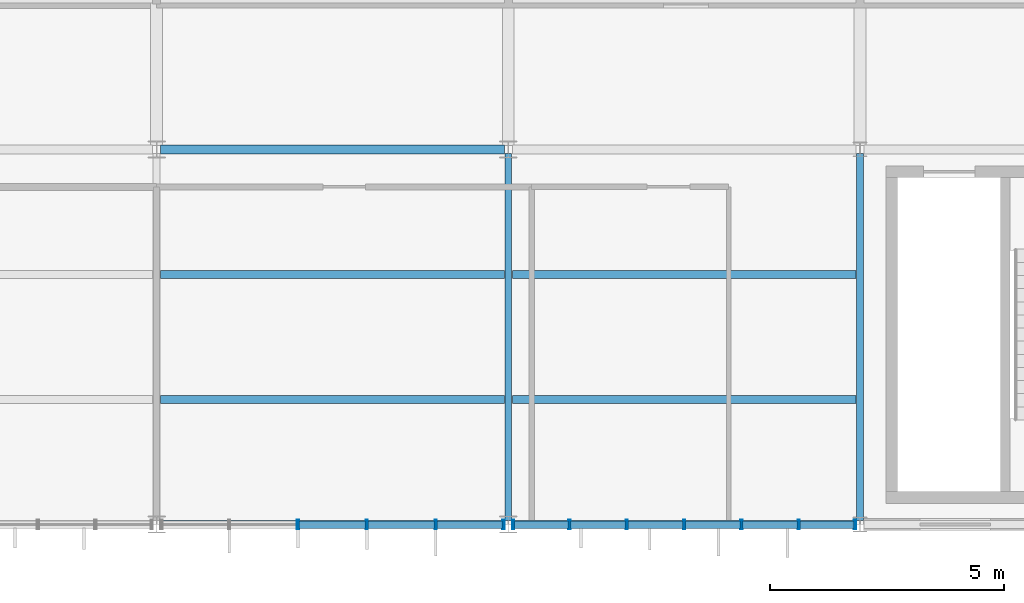
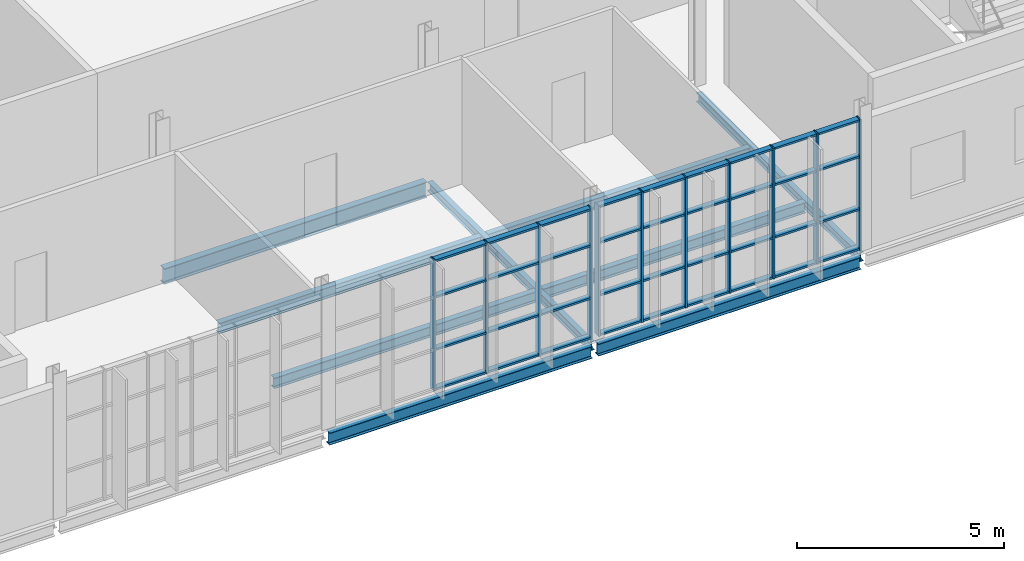
# One storey, part 28 of 324: 47 members, 9 beams, 2 elements without a shape of their own.
"""IFC4 building model written with IfcOpenShell, lengths in metres."""

from ifc_helpers import new_model, si_unit, direction, frame, origin, origin_2d, place, context, subcontext, project, spatial, hollow_rectangle, i_section, extrude, material, layer, layer_set, material_profile, profile_set, type_object, element, aggregate, save


model = new_model("IFC4")

# Units and contexts
model_context = context("Model", 3, precision=1e-05, world=origin(), true_north=direction((0.0, 1.0)))
body_context = subcontext(model_context, "Body", "Model", "MODEL_VIEW")
ifc_project = project(units=[si_unit("LENGTHUNIT", "METRE"), si_unit("AREAUNIT", "SQUARE_METRE"), si_unit("VOLUMEUNIT", "CUBIC_METRE"), si_unit("PLANEANGLEUNIT", "RADIAN"), si_unit("MASSUNIT", "GRAM", prefix="KILO")], contexts=[model_context])

# Site, building, storey
site_placement = place(None, origin())
site = spatial("IfcSite", under=ifc_project, at=site_placement, CompositionType="ELEMENT")
building_placement = place(site_placement, origin())
building = spatial("IfcBuilding", under=site, at=building_placement, Name="Solvenia Promenade Tram Depot", CompositionType="ELEMENT")
storey_placement = place(building_placement, frame((0.0, 0.0, 4.5)))
storey = spatial("IfcBuildingStorey", under=building, at=storey_placement, Name="L01", CompositionType="ELEMENT", Elevation=4.5)

# Beam
ifc_material_1 = material(Name="Structural steel ASTM A992 Gr. 50", Category="steel")
ifc_material_profile_1 = material_profile(ifc_material_1, i_section(OverallWidth=0.19091796875, OverallDepth=0.4599609375, WebThickness=0.010009765625, FlangeThickness=0.01611328125, FilletRadius=0.012939453125, at=origin_2d()), Name="W460x82", Category="steel")
ifc_profile_set_1 = profile_set([ifc_material_profile_1], Name="Structural steel ASTM A992 Gr. 50")
beam_type_1 = type_object("IfcBeamType", Name="Beam-W460x82", PredefinedType="BEAM", material=ifc_profile_set_1)
beam_placement = place(storey_placement, frame((45.0849609375, 8.0, -0.449951171875), z_axis=(1.0, 0.0, 0.0), x_axis=(0.0, 1.0, 0.0)))
element("IfcBeam", 1, at=beam_placement, inside=storey, type_object=beam_type_1, Name="Primary Girder BM-L01-0318", PredefinedType="BEAM", context=body_context, shape_type="SweptSolid", body=[
    extrude(i_section(OverallWidth=0.19091796875, OverallDepth=0.4599609375, WebThickness=0.010009765625, FlangeThickness=0.01611328125, FilletRadius=0.012939453125, at=origin_2d()), origin(), (0.0, 0.0, 1.0), 7.330078125),
])

# Curtain wall, members
ifc_material_2 = material(Name="Anodized aluminium AW-6063 T6", Category="aluminium")
ifc_layer_1 = layer(ifc_material_2, 0.179931640625, Name="Anodized aluminium AW-6063 T6", Category="aluminium")
ifc_layer_set_1 = layer_set([ifc_layer_1], Name="Anodized aluminium AW-6063 T6")
curtain_wall_type_1 = type_object("IfcCurtainWallType", Name="CW-Solar-1500", PredefinedType="NOTDEFINED", material=ifc_layer_set_1)
curtain_wall_1_placement = place(storey_placement, origin())
curtain_wall_1 = element("IfcCurtainWall", 2, at=curtain_wall_1_placement, inside=storey, type_object=curtain_wall_type_1, Name="Curtain Wall CW-V4S-L01-06", PredefinedType="NOTDEFINED")
ifc_material_profile_2 = material_profile(ifc_material_2, hollow_rectangle(XDim=0.199951171875, YDim=0.048095703125, WallThickness=0.00390625, at=origin_2d()), Name="ALU-M3", Category="aluminium")
ifc_profile_set_2 = profile_set([ifc_material_profile_2], Name="Anodized aluminium AW-6063 T6")
member_type_1 = type_object("IfcMemberType", Name="CWM-Mullion-3", PredefinedType="MULLION", material=ifc_profile_set_2)
member_1_placement = place(storey_placement, frame((48.01611328125, 0.0, 0.0), z_axis=(0.0, 0.0, 1.0), x_axis=(0.0, 1.0, 0.0)))
member_1 = element("IfcMember", 3, at=member_1_placement, type_object=member_type_1, Name="CW-7 mullion 3", PredefinedType="MULLION", context=body_context, shape_type="SweptSolid", body=[
    extrude(hollow_rectangle(XDim=0.199951171875, YDim=0.048095703125, WallThickness=0.00390625, at=origin_2d()), origin(), (0.0, 0.0, 1.0), 3.85009765625),
])
member_2_placement = place(storey_placement, frame((49.48388671875, 0.0, 0.0), z_axis=(0.0, 0.0, 1.0), x_axis=(0.0, 1.0, 0.0)))
member_2 = element("IfcMember", 4, at=member_2_placement, type_object=member_type_1, Name="CW-7 mullion 4", PredefinedType="MULLION", context=body_context, shape_type="SweptSolid", body=[
    extrude(hollow_rectangle(XDim=0.199951171875, YDim=0.048095703125, WallThickness=0.00390625, at=origin_2d()), origin(), (0.0, 0.0, 1.0), 3.85009765625),
])
member_3_placement = place(storey_placement, frame((50.951904296875, 0.0, 0.0), z_axis=(0.0, 0.0, 1.0), x_axis=(0.0, 1.0, 0.0)))
member_3 = element("IfcMember", 5, at=member_3_placement, type_object=member_type_1, Name="CW-7 mullion 5", PredefinedType="MULLION", context=body_context, shape_type="SweptSolid", body=[
    extrude(hollow_rectangle(XDim=0.199951171875, YDim=0.048095703125, WallThickness=0.00390625, at=origin_2d()), origin(), (0.0, 0.0, 1.0), 3.85009765625),
])
member_4_placement = place(storey_placement, frame((52.39599609375, 0.0, 0.0), z_axis=(0.0, 0.0, 1.0), x_axis=(0.0, 1.0, 0.0)))
member_4 = element("IfcMember", 6, at=member_4_placement, type_object=member_type_1, Name="CW-7 mullion 6", PredefinedType="MULLION", context=body_context, shape_type="SweptSolid", body=[
    extrude(hollow_rectangle(XDim=0.199951171875, YDim=0.048095703125, WallThickness=0.00390625, at=origin_2d()), origin(), (0.0, 0.0, 1.0), 3.85009765625),
])

ifc_layer_2 = layer(ifc_material_2, 0.179931640625, Name="Anodized aluminium AW-6063 T6", Category="aluminium")
ifc_layer_set_2 = layer_set([ifc_layer_2], Name="Anodized aluminium AW-6063 T6")
curtain_wall_type_2 = type_object("IfcCurtainWallType", Name="CW-Solar-1250", PredefinedType="NOTDEFINED", material=ifc_layer_set_2)
curtain_wall_2_placement = place(storey_placement, origin())
curtain_wall_2 = element("IfcCurtainWall", 7, at=curtain_wall_2_placement, inside=storey, type_object=curtain_wall_type_2, Name="Curtain Wall CW-V4S-L01-07", PredefinedType="NOTDEFINED")
member_5_placement = place(storey_placement, frame((52.60400390625, 0.0, 0.0), z_axis=(0.0, 0.0, 1.0), x_axis=(0.0, 1.0, 0.0)))
member_5 = element("IfcMember", 8, at=member_5_placement, type_object=member_type_1, Name="CW-6 mullion 1", PredefinedType="MULLION", context=body_context, shape_type="SweptSolid", body=[
    extrude(hollow_rectangle(XDim=0.199951171875, YDim=0.048095703125, WallThickness=0.00390625, at=origin_2d()), origin(), (0.0, 0.0, 1.0), 3.85009765625),
])
member_6_placement = place(storey_placement, frame((53.80322265625, 0.0, 0.0), z_axis=(0.0, 0.0, 1.0), x_axis=(0.0, 1.0, 0.0)))
member_6 = element("IfcMember", 9, at=member_6_placement, type_object=member_type_1, Name="CW-6 mullion 2", PredefinedType="MULLION", context=body_context, shape_type="SweptSolid", body=[
    extrude(hollow_rectangle(XDim=0.199951171875, YDim=0.048095703125, WallThickness=0.00390625, at=origin_2d()), origin(), (0.0, 0.0, 1.0), 3.85009765625),
])
member_7_placement = place(storey_placement, frame((55.026611328125, 0.0, 0.0), z_axis=(0.0, 0.0, 1.0), x_axis=(0.0, 1.0, 0.0)))
member_7 = element("IfcMember", 10, at=member_7_placement, type_object=member_type_1, Name="CW-6 mullion 3", PredefinedType="MULLION", context=body_context, shape_type="SweptSolid", body=[
    extrude(hollow_rectangle(XDim=0.199951171875, YDim=0.048095703125, WallThickness=0.00390625, at=origin_2d()), origin(), (0.0, 0.0, 1.0), 3.85009765625),
])
member_8_placement = place(storey_placement, frame((56.25, 0.0, 0.0), z_axis=(0.0, 0.0, 1.0), x_axis=(0.0, 1.0, 0.0)))
member_8 = element("IfcMember", 11, at=member_8_placement, type_object=member_type_1, Name="CW-6 mullion 4", PredefinedType="MULLION", context=body_context, shape_type="SweptSolid", body=[
    extrude(hollow_rectangle(XDim=0.199951171875, YDim=0.048095703125, WallThickness=0.00390625, at=origin_2d()), origin(), (0.0, 0.0, 1.0), 3.85009765625),
])
member_9_placement = place(storey_placement, frame((57.473388671875, 0.0, 0.0), z_axis=(0.0, 0.0, 1.0), x_axis=(0.0, 1.0, 0.0)))
member_9 = element("IfcMember", 12, at=member_9_placement, type_object=member_type_1, Name="CW-6 mullion 5", PredefinedType="MULLION", context=body_context, shape_type="SweptSolid", body=[
    extrude(hollow_rectangle(XDim=0.199951171875, YDim=0.048095703125, WallThickness=0.00390625, at=origin_2d()), origin(), (0.0, 0.0, 1.0), 3.85009765625),
])
member_10_placement = place(storey_placement, frame((58.69677734375, 0.0, 0.0), z_axis=(0.0, 0.0, 1.0), x_axis=(0.0, 1.0, 0.0)))
member_10 = element("IfcMember", 13, at=member_10_placement, type_object=member_type_1, Name="CW-6 mullion 6", PredefinedType="MULLION", context=body_context, shape_type="SweptSolid", body=[
    extrude(hollow_rectangle(XDim=0.199951171875, YDim=0.048095703125, WallThickness=0.00390625, at=origin_2d()), origin(), (0.0, 0.0, 1.0), 3.85009765625),
])
member_11_placement = place(storey_placement, frame((59.89599609375, 0.0, 0.0), z_axis=(0.0, 0.0, 1.0), x_axis=(0.0, 1.0, 0.0)))
member_11 = element("IfcMember", 14, at=member_11_placement, type_object=member_type_1, Name="CW-6 mullion 7", PredefinedType="MULLION", context=body_context, shape_type="SweptSolid", body=[
    extrude(hollow_rectangle(XDim=0.199951171875, YDim=0.048095703125, WallThickness=0.00390625, at=origin_2d()), origin(), (0.0, 0.0, 1.0), 3.85009765625),
])

# Member
ifc_material_profile_3 = material_profile(ifc_material_2, hollow_rectangle(XDim=0.159912109375, YDim=0.05810546875, WallThickness=0.00390625, at=origin_2d()), Name="ALU-T3", Category="aluminium")
ifc_profile_set_3 = profile_set([ifc_material_profile_3], Name="Anodized aluminium AW-6063 T6")
member_type_2 = type_object("IfcMemberType", Name="CWT-Transom-3", PredefinedType="USERDEFINED", material=ifc_profile_set_3)
member_12_placement = place(storey_placement, frame((48.0400390625, 0.0, 0.029052734375), z_axis=(1.0, 0.0, 0.0), x_axis=(0.0, 1.0, 0.0)))
member_12 = element("IfcMember", 15, at=member_12_placement, type_object=member_type_2, Name="CW-7 transom 3.1", ObjectType="TRANSOM", PredefinedType="USERDEFINED", context=body_context, shape_type="SweptSolid", body=[
    extrude(hollow_rectangle(XDim=0.159912109375, YDim=0.05810546875, WallThickness=0.00390625, at=origin_2d()), origin(), (0.0, 0.0, 1.0), 1.419921875),
])

member_13_placement = place(storey_placement, frame((48.0400390625, 0.0, 1.199951171875), z_axis=(1.0, 0.0, 0.0), x_axis=(0.0, 1.0, 0.0)))
member_13 = element("IfcMember", 16, at=member_13_placement, type_object=member_type_2, Name="CW-7 transom 3.2", ObjectType="TRANSOM", PredefinedType="USERDEFINED", context=body_context, shape_type="SweptSolid", body=[
    extrude(hollow_rectangle(XDim=0.159912109375, YDim=0.05810546875, WallThickness=0.00390625, at=origin_2d()), origin(), (0.0, 0.0, 1.0), 1.419921875),
])

member_14_placement = place(storey_placement, frame((48.0400390625, 0.0, 2.75), z_axis=(1.0, 0.0, 0.0), x_axis=(0.0, 1.0, 0.0)))
member_14 = element("IfcMember", 17, at=member_14_placement, type_object=member_type_2, Name="CW-7 transom 3.3", ObjectType="TRANSOM", PredefinedType="USERDEFINED", context=body_context, shape_type="SweptSolid", body=[
    extrude(hollow_rectangle(XDim=0.159912109375, YDim=0.05810546875, WallThickness=0.00390625, at=origin_2d()), origin(), (0.0, 0.0, 1.0), 1.419921875),
])

member_15_placement = place(storey_placement, frame((48.0400390625, 0.0, 3.821044921875), z_axis=(1.0, 0.0, 0.0), x_axis=(0.0, 1.0, 0.0)))
member_15 = element("IfcMember", 18, at=member_15_placement, type_object=member_type_2, Name="CW-7 transom 3.4", ObjectType="TRANSOM", PredefinedType="USERDEFINED", context=body_context, shape_type="SweptSolid", body=[
    extrude(hollow_rectangle(XDim=0.159912109375, YDim=0.05810546875, WallThickness=0.00390625, at=origin_2d()), origin(), (0.0, 0.0, 1.0), 1.419921875),
])

member_16_placement = place(storey_placement, frame((49.508056640625, 0.0, 0.029052734375), z_axis=(1.0, 0.0, 0.0), x_axis=(0.0, 1.0, 0.0)))
member_16 = element("IfcMember", 19, at=member_16_placement, type_object=member_type_2, Name="CW-7 transom 4.1", ObjectType="TRANSOM", PredefinedType="USERDEFINED", context=body_context, shape_type="SweptSolid", body=[
    extrude(hollow_rectangle(XDim=0.159912109375, YDim=0.05810546875, WallThickness=0.00390625, at=origin_2d()), origin(), (0.0, 0.0, 1.0), 1.419921875),
])

member_17_placement = place(storey_placement, frame((49.508056640625, 0.0, 1.199951171875), z_axis=(1.0, 0.0, 0.0), x_axis=(0.0, 1.0, 0.0)))
member_17 = element("IfcMember", 20, at=member_17_placement, type_object=member_type_2, Name="CW-7 transom 4.2", ObjectType="TRANSOM", PredefinedType="USERDEFINED", context=body_context, shape_type="SweptSolid", body=[
    extrude(hollow_rectangle(XDim=0.159912109375, YDim=0.05810546875, WallThickness=0.00390625, at=origin_2d()), origin(), (0.0, 0.0, 1.0), 1.419921875),
])

member_18_placement = place(storey_placement, frame((49.508056640625, 0.0, 2.75), z_axis=(1.0, 0.0, 0.0), x_axis=(0.0, 1.0, 0.0)))
member_18 = element("IfcMember", 21, at=member_18_placement, type_object=member_type_2, Name="CW-7 transom 4.3", ObjectType="TRANSOM", PredefinedType="USERDEFINED", context=body_context, shape_type="SweptSolid", body=[
    extrude(hollow_rectangle(XDim=0.159912109375, YDim=0.05810546875, WallThickness=0.00390625, at=origin_2d()), origin(), (0.0, 0.0, 1.0), 1.419921875),
])

member_19_placement = place(storey_placement, frame((49.508056640625, 0.0, 3.821044921875), z_axis=(1.0, 0.0, 0.0), x_axis=(0.0, 1.0, 0.0)))
member_19 = element("IfcMember", 22, at=member_19_placement, type_object=member_type_2, Name="CW-7 transom 4.4", ObjectType="TRANSOM", PredefinedType="USERDEFINED", context=body_context, shape_type="SweptSolid", body=[
    extrude(hollow_rectangle(XDim=0.159912109375, YDim=0.05810546875, WallThickness=0.00390625, at=origin_2d()), origin(), (0.0, 0.0, 1.0), 1.419921875),
])

member_20_placement = place(storey_placement, frame((50.97607421875, 0.0, 0.029052734375), z_axis=(1.0, 0.0, 0.0), x_axis=(0.0, 1.0, 0.0)))
member_20 = element("IfcMember", 23, at=member_20_placement, type_object=member_type_2, Name="CW-7 transom 5.1", ObjectType="TRANSOM", PredefinedType="USERDEFINED", context=body_context, shape_type="SweptSolid", body=[
    extrude(hollow_rectangle(XDim=0.159912109375, YDim=0.05810546875, WallThickness=0.00390625, at=origin_2d()), origin(), (0.0, 0.0, 1.0), 1.39599609375),
])

member_21_placement = place(storey_placement, frame((50.97607421875, 0.0, 1.199951171875), z_axis=(1.0, 0.0, 0.0), x_axis=(0.0, 1.0, 0.0)))
member_21 = element("IfcMember", 24, at=member_21_placement, type_object=member_type_2, Name="CW-7 transom 5.2", ObjectType="TRANSOM", PredefinedType="USERDEFINED", context=body_context, shape_type="SweptSolid", body=[
    extrude(hollow_rectangle(XDim=0.159912109375, YDim=0.05810546875, WallThickness=0.00390625, at=origin_2d()), origin(), (0.0, 0.0, 1.0), 1.39599609375),
])

member_22_placement = place(storey_placement, frame((50.97607421875, 0.0, 2.75), z_axis=(1.0, 0.0, 0.0), x_axis=(0.0, 1.0, 0.0)))
member_22 = element("IfcMember", 25, at=member_22_placement, type_object=member_type_2, Name="CW-7 transom 5.3", ObjectType="TRANSOM", PredefinedType="USERDEFINED", context=body_context, shape_type="SweptSolid", body=[
    extrude(hollow_rectangle(XDim=0.159912109375, YDim=0.05810546875, WallThickness=0.00390625, at=origin_2d()), origin(), (0.0, 0.0, 1.0), 1.39599609375),
])

member_23_placement = place(storey_placement, frame((50.97607421875, 0.0, 3.821044921875), z_axis=(1.0, 0.0, 0.0), x_axis=(0.0, 1.0, 0.0)))
member_23 = element("IfcMember", 26, at=member_23_placement, type_object=member_type_2, Name="CW-7 transom 5.4", ObjectType="TRANSOM", PredefinedType="USERDEFINED", context=body_context, shape_type="SweptSolid", body=[
    extrude(hollow_rectangle(XDim=0.159912109375, YDim=0.05810546875, WallThickness=0.00390625, at=origin_2d()), origin(), (0.0, 0.0, 1.0), 1.39599609375),
])

aggregate(curtain_wall_1, [member_1, member_2, member_3, member_4, member_12, member_13, member_14, member_15, member_16, member_17, member_18, member_19, member_20, member_21, member_22, member_23])

member_24_placement = place(storey_placement, frame((52.6279296875, 0.0, 0.029052734375), z_axis=(1.0, 0.0, 0.0), x_axis=(0.0, 1.0, 0.0)))
member_24 = element("IfcMember", 27, at=member_24_placement, type_object=member_type_2, Name="CW-6 transom 1.1", ObjectType="TRANSOM", PredefinedType="USERDEFINED", context=body_context, shape_type="SweptSolid", body=[
    extrude(hollow_rectangle(XDim=0.159912109375, YDim=0.05810546875, WallThickness=0.00390625, at=origin_2d()), origin(), (0.0, 0.0, 1.0), 1.1513671875),
])

member_25_placement = place(storey_placement, frame((52.6279296875, 0.0, 1.199951171875), z_axis=(1.0, 0.0, 0.0), x_axis=(0.0, 1.0, 0.0)))
member_25 = element("IfcMember", 28, at=member_25_placement, type_object=member_type_2, Name="CW-6 transom 1.2", ObjectType="TRANSOM", PredefinedType="USERDEFINED", context=body_context, shape_type="SweptSolid", body=[
    extrude(hollow_rectangle(XDim=0.159912109375, YDim=0.05810546875, WallThickness=0.00390625, at=origin_2d()), origin(), (0.0, 0.0, 1.0), 1.1513671875),
])

member_26_placement = place(storey_placement, frame((52.6279296875, 0.0, 2.75), z_axis=(1.0, 0.0, 0.0), x_axis=(0.0, 1.0, 0.0)))
member_26 = element("IfcMember", 29, at=member_26_placement, type_object=member_type_2, Name="CW-6 transom 1.3", ObjectType="TRANSOM", PredefinedType="USERDEFINED", context=body_context, shape_type="SweptSolid", body=[
    extrude(hollow_rectangle(XDim=0.159912109375, YDim=0.05810546875, WallThickness=0.00390625, at=origin_2d()), origin(), (0.0, 0.0, 1.0), 1.1513671875),
])

member_27_placement = place(storey_placement, frame((52.6279296875, 0.0, 3.821044921875), z_axis=(1.0, 0.0, 0.0), x_axis=(0.0, 1.0, 0.0)))
member_27 = element("IfcMember", 30, at=member_27_placement, type_object=member_type_2, Name="CW-6 transom 1.4", ObjectType="TRANSOM", PredefinedType="USERDEFINED", context=body_context, shape_type="SweptSolid", body=[
    extrude(hollow_rectangle(XDim=0.159912109375, YDim=0.05810546875, WallThickness=0.00390625, at=origin_2d()), origin(), (0.0, 0.0, 1.0), 1.1513671875),
])

member_28_placement = place(storey_placement, frame((53.827392578125, 0.0, 0.029052734375), z_axis=(1.0, 0.0, 0.0), x_axis=(0.0, 1.0, 0.0)))
member_28 = element("IfcMember", 31, at=member_28_placement, type_object=member_type_2, Name="CW-6 transom 2.1", ObjectType="TRANSOM", PredefinedType="USERDEFINED", context=body_context, shape_type="SweptSolid", body=[
    extrude(hollow_rectangle(XDim=0.159912109375, YDim=0.05810546875, WallThickness=0.00390625, at=origin_2d()), origin(), (0.0, 0.0, 1.0), 1.17529296875),
])

member_29_placement = place(storey_placement, frame((53.827392578125, 0.0, 1.199951171875), z_axis=(1.0, 0.0, 0.0), x_axis=(0.0, 1.0, 0.0)))
member_29 = element("IfcMember", 32, at=member_29_placement, type_object=member_type_2, Name="CW-6 transom 2.2", ObjectType="TRANSOM", PredefinedType="USERDEFINED", context=body_context, shape_type="SweptSolid", body=[
    extrude(hollow_rectangle(XDim=0.159912109375, YDim=0.05810546875, WallThickness=0.00390625, at=origin_2d()), origin(), (0.0, 0.0, 1.0), 1.17529296875),
])

member_30_placement = place(storey_placement, frame((53.827392578125, 0.0, 2.75), z_axis=(1.0, 0.0, 0.0), x_axis=(0.0, 1.0, 0.0)))
member_30 = element("IfcMember", 33, at=member_30_placement, type_object=member_type_2, Name="CW-6 transom 2.3", ObjectType="TRANSOM", PredefinedType="USERDEFINED", context=body_context, shape_type="SweptSolid", body=[
    extrude(hollow_rectangle(XDim=0.159912109375, YDim=0.05810546875, WallThickness=0.00390625, at=origin_2d()), origin(), (0.0, 0.0, 1.0), 1.17529296875),
])

member_31_placement = place(storey_placement, frame((53.827392578125, 0.0, 3.821044921875), z_axis=(1.0, 0.0, 0.0), x_axis=(0.0, 1.0, 0.0)))
member_31 = element("IfcMember", 34, at=member_31_placement, type_object=member_type_2, Name="CW-6 transom 2.4", ObjectType="TRANSOM", PredefinedType="USERDEFINED", context=body_context, shape_type="SweptSolid", body=[
    extrude(hollow_rectangle(XDim=0.159912109375, YDim=0.05810546875, WallThickness=0.00390625, at=origin_2d()), origin(), (0.0, 0.0, 1.0), 1.17529296875),
])

member_32_placement = place(storey_placement, frame((55.05078125, 0.0, 0.029052734375), z_axis=(1.0, 0.0, 0.0), x_axis=(0.0, 1.0, 0.0)))
member_32 = element("IfcMember", 35, at=member_32_placement, type_object=member_type_2, Name="CW-6 transom 3.1", ObjectType="TRANSOM", PredefinedType="USERDEFINED", context=body_context, shape_type="SweptSolid", body=[
    extrude(hollow_rectangle(XDim=0.159912109375, YDim=0.05810546875, WallThickness=0.00390625, at=origin_2d()), origin(), (0.0, 0.0, 1.0), 1.17529296875),
])

member_33_placement = place(storey_placement, frame((55.05078125, 0.0, 1.199951171875), z_axis=(1.0, 0.0, 0.0), x_axis=(0.0, 1.0, 0.0)))
member_33 = element("IfcMember", 36, at=member_33_placement, type_object=member_type_2, Name="CW-6 transom 3.2", ObjectType="TRANSOM", PredefinedType="USERDEFINED", context=body_context, shape_type="SweptSolid", body=[
    extrude(hollow_rectangle(XDim=0.159912109375, YDim=0.05810546875, WallThickness=0.00390625, at=origin_2d()), origin(), (0.0, 0.0, 1.0), 1.17529296875),
])

member_34_placement = place(storey_placement, frame((55.05078125, 0.0, 2.75), z_axis=(1.0, 0.0, 0.0), x_axis=(0.0, 1.0, 0.0)))
member_34 = element("IfcMember", 37, at=member_34_placement, type_object=member_type_2, Name="CW-6 transom 3.3", ObjectType="TRANSOM", PredefinedType="USERDEFINED", context=body_context, shape_type="SweptSolid", body=[
    extrude(hollow_rectangle(XDim=0.159912109375, YDim=0.05810546875, WallThickness=0.00390625, at=origin_2d()), origin(), (0.0, 0.0, 1.0), 1.17529296875),
])

member_35_placement = place(storey_placement, frame((55.05078125, 0.0, 3.821044921875), z_axis=(1.0, 0.0, 0.0), x_axis=(0.0, 1.0, 0.0)))
member_35 = element("IfcMember", 38, at=member_35_placement, type_object=member_type_2, Name="CW-6 transom 3.4", ObjectType="TRANSOM", PredefinedType="USERDEFINED", context=body_context, shape_type="SweptSolid", body=[
    extrude(hollow_rectangle(XDim=0.159912109375, YDim=0.05810546875, WallThickness=0.00390625, at=origin_2d()), origin(), (0.0, 0.0, 1.0), 1.17529296875),
])

member_36_placement = place(storey_placement, frame((56.27392578125, 0.0, 0.029052734375), z_axis=(1.0, 0.0, 0.0), x_axis=(0.0, 1.0, 0.0)))
member_36 = element("IfcMember", 39, at=member_36_placement, type_object=member_type_2, Name="CW-6 transom 4.1", ObjectType="TRANSOM", PredefinedType="USERDEFINED", context=body_context, shape_type="SweptSolid", body=[
    extrude(hollow_rectangle(XDim=0.159912109375, YDim=0.05810546875, WallThickness=0.00390625, at=origin_2d()), origin(), (0.0, 0.0, 1.0), 1.17529296875),
])

member_37_placement = place(storey_placement, frame((56.27392578125, 0.0, 1.199951171875), z_axis=(1.0, 0.0, 0.0), x_axis=(0.0, 1.0, 0.0)))
member_37 = element("IfcMember", 40, at=member_37_placement, type_object=member_type_2, Name="CW-6 transom 4.2", ObjectType="TRANSOM", PredefinedType="USERDEFINED", context=body_context, shape_type="SweptSolid", body=[
    extrude(hollow_rectangle(XDim=0.159912109375, YDim=0.05810546875, WallThickness=0.00390625, at=origin_2d()), origin(), (0.0, 0.0, 1.0), 1.17529296875),
])

member_38_placement = place(storey_placement, frame((56.27392578125, 0.0, 2.75), z_axis=(1.0, 0.0, 0.0), x_axis=(0.0, 1.0, 0.0)))
member_38 = element("IfcMember", 41, at=member_38_placement, type_object=member_type_2, Name="CW-6 transom 4.3", ObjectType="TRANSOM", PredefinedType="USERDEFINED", context=body_context, shape_type="SweptSolid", body=[
    extrude(hollow_rectangle(XDim=0.159912109375, YDim=0.05810546875, WallThickness=0.00390625, at=origin_2d()), origin(), (0.0, 0.0, 1.0), 1.17529296875),
])

member_39_placement = place(storey_placement, frame((56.27392578125, 0.0, 3.821044921875), z_axis=(1.0, 0.0, 0.0), x_axis=(0.0, 1.0, 0.0)))
member_39 = element("IfcMember", 42, at=member_39_placement, type_object=member_type_2, Name="CW-6 transom 4.4", ObjectType="TRANSOM", PredefinedType="USERDEFINED", context=body_context, shape_type="SweptSolid", body=[
    extrude(hollow_rectangle(XDim=0.159912109375, YDim=0.05810546875, WallThickness=0.00390625, at=origin_2d()), origin(), (0.0, 0.0, 1.0), 1.17529296875),
])

member_40_placement = place(storey_placement, frame((57.497314453125, 0.0, 0.029052734375), z_axis=(1.0, 0.0, 0.0), x_axis=(0.0, 1.0, 0.0)))
member_40 = element("IfcMember", 43, at=member_40_placement, type_object=member_type_2, Name="CW-6 transom 5.1", ObjectType="TRANSOM", PredefinedType="USERDEFINED", context=body_context, shape_type="SweptSolid", body=[
    extrude(hollow_rectangle(XDim=0.159912109375, YDim=0.05810546875, WallThickness=0.00390625, at=origin_2d()), origin(), (0.0, 0.0, 1.0), 1.17529296875),
])

member_41_placement = place(storey_placement, frame((57.497314453125, 0.0, 1.199951171875), z_axis=(1.0, 0.0, 0.0), x_axis=(0.0, 1.0, 0.0)))
member_41 = element("IfcMember", 44, at=member_41_placement, type_object=member_type_2, Name="CW-6 transom 5.2", ObjectType="TRANSOM", PredefinedType="USERDEFINED", context=body_context, shape_type="SweptSolid", body=[
    extrude(hollow_rectangle(XDim=0.159912109375, YDim=0.05810546875, WallThickness=0.00390625, at=origin_2d()), origin(), (0.0, 0.0, 1.0), 1.17529296875),
])

member_42_placement = place(storey_placement, frame((57.497314453125, 0.0, 2.75), z_axis=(1.0, 0.0, 0.0), x_axis=(0.0, 1.0, 0.0)))
member_42 = element("IfcMember", 45, at=member_42_placement, type_object=member_type_2, Name="CW-6 transom 5.3", ObjectType="TRANSOM", PredefinedType="USERDEFINED", context=body_context, shape_type="SweptSolid", body=[
    extrude(hollow_rectangle(XDim=0.159912109375, YDim=0.05810546875, WallThickness=0.00390625, at=origin_2d()), origin(), (0.0, 0.0, 1.0), 1.17529296875),
])

member_43_placement = place(storey_placement, frame((57.497314453125, 0.0, 3.821044921875), z_axis=(1.0, 0.0, 0.0), x_axis=(0.0, 1.0, 0.0)))
member_43 = element("IfcMember", 46, at=member_43_placement, type_object=member_type_2, Name="CW-6 transom 5.4", ObjectType="TRANSOM", PredefinedType="USERDEFINED", context=body_context, shape_type="SweptSolid", body=[
    extrude(hollow_rectangle(XDim=0.159912109375, YDim=0.05810546875, WallThickness=0.00390625, at=origin_2d()), origin(), (0.0, 0.0, 1.0), 1.17529296875),
])

member_44_placement = place(storey_placement, frame((58.720703125, 0.0, 0.029052734375), z_axis=(1.0, 0.0, 0.0), x_axis=(0.0, 1.0, 0.0)))
member_44 = element("IfcMember", 47, at=member_44_placement, type_object=member_type_2, Name="CW-6 transom 6.1", ObjectType="TRANSOM", PredefinedType="USERDEFINED", context=body_context, shape_type="SweptSolid", body=[
    extrude(hollow_rectangle(XDim=0.159912109375, YDim=0.05810546875, WallThickness=0.00390625, at=origin_2d()), origin(), (0.0, 0.0, 1.0), 1.1513671875),
])

member_45_placement = place(storey_placement, frame((58.720703125, 0.0, 1.199951171875), z_axis=(1.0, 0.0, 0.0), x_axis=(0.0, 1.0, 0.0)))
member_45 = element("IfcMember", 48, at=member_45_placement, type_object=member_type_2, Name="CW-6 transom 6.2", ObjectType="TRANSOM", PredefinedType="USERDEFINED", context=body_context, shape_type="SweptSolid", body=[
    extrude(hollow_rectangle(XDim=0.159912109375, YDim=0.05810546875, WallThickness=0.00390625, at=origin_2d()), origin(), (0.0, 0.0, 1.0), 1.1513671875),
])

member_46_placement = place(storey_placement, frame((58.720703125, 0.0, 2.75), z_axis=(1.0, 0.0, 0.0), x_axis=(0.0, 1.0, 0.0)))
member_46 = element("IfcMember", 49, at=member_46_placement, type_object=member_type_2, Name="CW-6 transom 6.3", ObjectType="TRANSOM", PredefinedType="USERDEFINED", context=body_context, shape_type="SweptSolid", body=[
    extrude(hollow_rectangle(XDim=0.159912109375, YDim=0.05810546875, WallThickness=0.00390625, at=origin_2d()), origin(), (0.0, 0.0, 1.0), 1.1513671875),
])

member_47_placement = place(storey_placement, frame((58.720703125, 0.0, 3.821044921875), z_axis=(1.0, 0.0, 0.0), x_axis=(0.0, 1.0, 0.0)))
member_47 = element("IfcMember", 50, at=member_47_placement, type_object=member_type_2, Name="CW-6 transom 6.4", ObjectType="TRANSOM", PredefinedType="USERDEFINED", context=body_context, shape_type="SweptSolid", body=[
    extrude(hollow_rectangle(XDim=0.159912109375, YDim=0.05810546875, WallThickness=0.00390625, at=origin_2d()), origin(), (0.0, 0.0, 1.0), 1.1513671875),
])

aggregate(curtain_wall_2, [member_5, member_6, member_7, member_8, member_9, member_10, member_11, member_24, member_25, member_26, member_27, member_28, member_29, member_30, member_31, member_32, member_33, member_34, member_35, member_36, member_37, member_38, member_39, member_40, member_41, member_42, member_43, member_44, member_45, member_46, member_47])

# Beams
ifc_material_profile_4 = material_profile(ifc_material_1, i_section(OverallWidth=0.14697265625, OverallDepth=0.261962890625, WebThickness=0.006591796875, FlangeThickness=0.01123046875, FilletRadius=0.010009765625, at=origin_2d()), Name="W250x39", Category="steel")
ifc_profile_set_4 = profile_set([ifc_material_profile_4], Name="Structural steel ASTM A992 Gr. 50")
beam_type_2 = type_object("IfcBeamType", Name="Joist-W250x39", PredefinedType="JOIST", material=ifc_profile_set_4)
for number, where, z_axis, x_axis, name in (
    (51, (52.5, 0.0849609375, -0.35107421875), (0.0, 1.0, 0.0), (-1.0, 0.0, 0.0), "Transverse Girder BM-L01-0343"),
    (52, (60.0, 0.0849609375, -0.35107421875), (0.0, 1.0, 0.0), (-1.0, 0.0, 0.0), "Transverse Girder BM-L01-0345"),
):
    element("IfcBeam", number, at=place(storey_placement, frame(where, z_axis=z_axis, x_axis=x_axis)), inside=storey, type_object=beam_type_2, Name=name, PredefinedType="JOIST", context=body_context, shape_type="SweptSolid", body=[
        extrude(i_section(OverallWidth=0.14697265625, OverallDepth=0.261962890625, WebThickness=0.006591796875, FlangeThickness=0.01123046875, FilletRadius=0.010009765625, at=origin_2d()), origin(), (0.0, 0.0, 1.0), 7.830078125),
    ])
ifc_material_profile_5 = material_profile(ifc_material_1, i_section(OverallWidth=0.166015625, OverallDepth=0.31298828125, WebThickness=0.006591796875, FlangeThickness=0.01123046875, FilletRadius=0.010009765625, at=origin_2d()), Name="W310x45", Category="steel")
ifc_profile_set_5 = profile_set([ifc_material_profile_5], Name="Structural steel ASTM A992 Gr. 50")
beam_type_3 = type_object("IfcBeamType", Name="Joist-W310x45", PredefinedType="JOIST", material=ifc_profile_set_5)
for number, where, z_axis, x_axis, name in (
    (53, (45.0849609375, 2.666748046875, -0.37646484375), (1.0, 0.0, 0.0), (0.0, 1.0, 0.0), "Secondary Floor Joist BM-L01-0386"),
    (54, (45.0849609375, 5.333251953125, -0.37646484375), (1.0, 0.0, 0.0), (0.0, 1.0, 0.0), "Secondary Floor Joist BM-L01-0387"),
    (55, (52.5849609375, 2.666748046875, -0.37646484375), (1.0, 0.0, 0.0), (0.0, 1.0, 0.0), "Secondary Floor Joist BM-L01-0392"),
    (56, (52.5849609375, 5.333251953125, -0.37646484375), (1.0, 0.0, 0.0), (0.0, 1.0, 0.0), "Secondary Floor Joist BM-L01-0393"),
):
    element("IfcBeam", number, at=place(storey_placement, frame(where, z_axis=z_axis, x_axis=x_axis)), inside=storey, type_object=beam_type_3, Name=name, PredefinedType="JOIST", context=body_context, shape_type="SweptSolid", body=[
        extrude(i_section(OverallWidth=0.166015625, OverallDepth=0.31298828125, WebThickness=0.006591796875, FlangeThickness=0.01123046875, FilletRadius=0.010009765625, at=origin_2d()), origin(), (0.0, 0.0, 1.0), 7.330078125),
    ])
ifc_material_profile_6 = material_profile(ifc_material_1, i_section(OverallWidth=0.172119140625, OverallDepth=0.35791015625, WebThickness=0.0078125, FlangeThickness=0.01318359375, FilletRadius=0.010986328125, at=origin_2d()), Name="W360x57", Category="steel")
ifc_profile_set_6 = profile_set([ifc_material_profile_6], Name="Structural steel ASTM A992 Gr. 50")
beam_type_4 = type_object("IfcBeamType", Name="Spandrel-W360x57", PredefinedType="SPANDREL", material=ifc_profile_set_6)
for number, where, z_axis, x_axis, name in (
    (57, (45.0849609375, 0.0, -0.39892578125), (1.0, 0.0, 0.0), (0.0, 1.0, 0.0), "Perimeter Spandrel BM-L01-0307"),
    (58, (52.5849609375, 0.0, -0.39892578125), (1.0, 0.0, 0.0), (0.0, 1.0, 0.0), "Perimeter Spandrel BM-L01-0308"),
):
    element("IfcBeam", number, at=place(storey_placement, frame(where, z_axis=z_axis, x_axis=x_axis)), inside=storey, type_object=beam_type_4, Name=name, PredefinedType="SPANDREL", context=body_context, shape_type="SweptSolid", body=[
        extrude(i_section(OverallWidth=0.172119140625, OverallDepth=0.35791015625, WebThickness=0.0078125, FlangeThickness=0.01318359375, FilletRadius=0.010986328125, at=origin_2d()), origin(), (0.0, 0.0, 1.0), 7.330078125),
    ])

save(model, "model.ifc")
